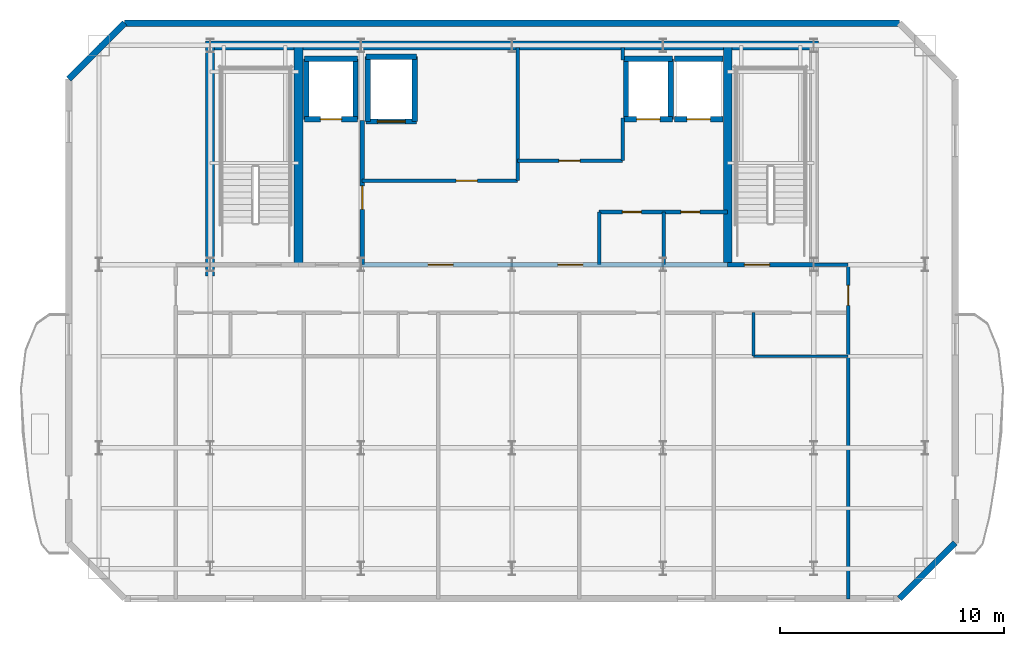
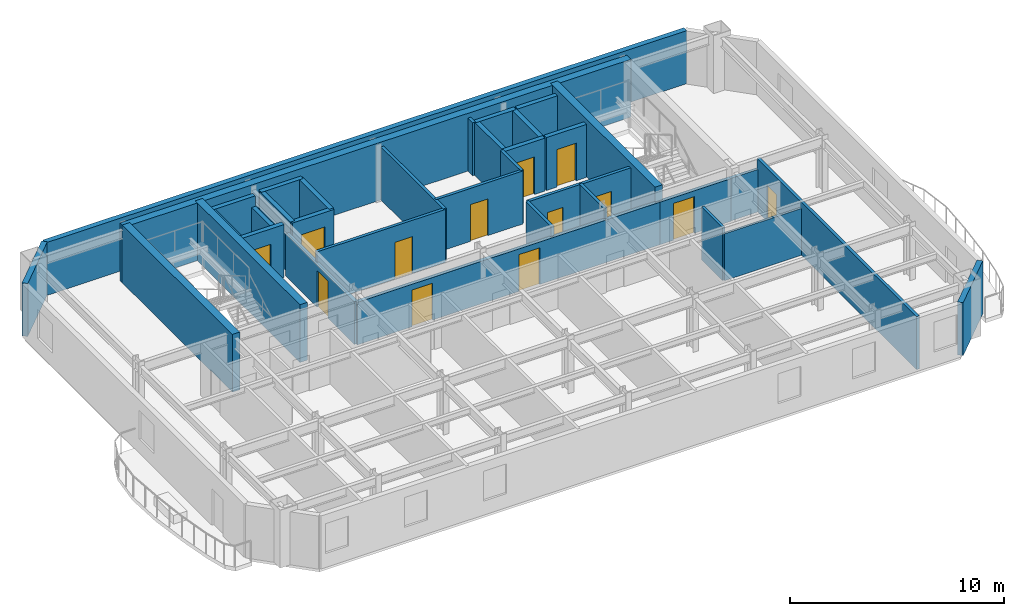
# One storey, part 3 of 6: 36 walls, 13 doors, 13 openings.
"""IFC4 building model written with IfcOpenShell, lengths in metres."""

from ifc_helpers import new_model, si_unit, direction, frame, frame_2d, origin, place, context, subcontext, project, spatial, rectangle, extrude, material, layer, layer_set, type_object, element, fill, save


model = new_model("IFC4")

# Units and contexts
model_context = context("Model", 3, precision=1e-05, world=origin(), true_north=direction((0.0, 1.0)))
body_context = subcontext(model_context, "Body", "Model", "MODEL_VIEW")
ifc_project = project(units=[si_unit("LENGTHUNIT", "METRE"), si_unit("AREAUNIT", "SQUARE_METRE"), si_unit("VOLUMEUNIT", "CUBIC_METRE"), si_unit("PLANEANGLEUNIT", "RADIAN"), si_unit("MASSUNIT", "GRAM", prefix="KILO")], contexts=[model_context])

# Site, building, storey
site_placement = place(None, origin())
site = spatial("IfcSite", under=ifc_project, at=site_placement, CompositionType="ELEMENT")
building_placement = place(site_placement, origin())
building = spatial("IfcBuilding", under=site, at=building_placement, Name="Haevon Station Towers", CompositionType="ELEMENT")
storey_placement = place(building_placement, frame((0.0, 0.0, 246.0)))
storey = spatial("IfcBuildingStorey", under=building, at=storey_placement, Name="L68", CompositionType="ELEMENT", Elevation=246.0)

# Wall, opening, door
ifc_material_1 = material(Name="Gypsum board on steel stud", Category="steel")
ifc_layer_1 = layer(ifc_material_1, 0.199951171875)
ifc_layer_set_1 = layer_set([ifc_layer_1], Name="Gypsum board on steel stud")
wall_type_1 = type_object("IfcWallType", Name="WL-COR200", PredefinedType="PARTITIONING", material=ifc_layer_set_1)
wall_1_placement = place(storey_placement, frame((47.14990234375, 38.199951171875, 0.0), z_axis=(0.0, 0.0, 1.0), x_axis=(1.0, 0.0, 0.0)))
wall_1 = element("IfcWall", 1, at=wall_1_placement, inside=storey, type_object=wall_type_1, Name="WL-ST-ST2-L68", PredefinedType="PARTITIONING", context=body_context, shape_type="SweptSolid", body=[
    extrude(rectangle(XDim=3.85009765625, YDim=0.199951171875, at=frame_2d((1.925048828125, 0.0))), origin(), (0.0, 0.0, 1.0), 2.429931640625),
])
opening_1_placement = place(wall_1_placement, frame((0.75, 0.0, 0.0)))
opening_1 = element("IfcOpeningElement", 2, at=opening_1_placement, cuts=wall_1, Name="Opening DR-ST-ST2-L68", PredefinedType="OPENING", context=body_context, shape_type="SweptSolid", body=[
    extrude(rectangle(XDim=1.1201171875, YDim=2.10009765625, at=frame_2d((0.56005859375, 1.050048828125))), frame((0.0, 0.10986328125, 0.0), z_axis=(0.0, -1.0, 0.0), x_axis=(1.0, 0.0, 0.0)), (0.0, 0.0, 1.0), 0.219970703125),
])
ifc_material_2 = material(Name="Engineered oak timber", Category="wood")
door_type_1 = type_object("IfcDoorType", Name="DR-ST-1120", OperationType="NOTDEFINED", PredefinedType="DOOR", material=ifc_material_2)
door_1_placement = place(opening_1_placement, origin())
door_1 = element("IfcDoor", 3, at=door_1_placement, inside=storey, type_object=door_type_1, Name="L68 Escape Stair ST2 Fire Door", OperationType="SINGLE_SWING_RIGHT", OverallHeight=2.10009765625, OverallWidth=1.1201171875, PredefinedType="DOOR", context=body_context, shape_type="SweptSolid", body=[
    extrude(rectangle(XDim=1.1201171875, YDim=2.10009765625, at=frame_2d((0.56005859375, 1.050048828125))), frame((0.0, 0.02490234375, 0.0), z_axis=(0.0, -1.0, 0.0), x_axis=(1.0, 0.0, 0.0)), (0.0, 0.0, 1.0), 0.050048828125),
])
fill(opening_1, door_1)

wall_2_placement = place(storey_placement, frame((30.800048828125, 38.199951171875, 0.0), z_axis=(0.0, 0.0, 1.0), x_axis=(0.0, 1.0, 0.0)))
wall_2 = element("IfcWall", 4, at=wall_2_placement, inside=storey, type_object=wall_type_1, Name="WL-T1FFL-L68-E", PredefinedType="PARTITIONING", context=body_context, shape_type="SweptSolid", body=[
    extrude(rectangle(XDim=6.449951171875, YDim=0.199951171875, at=frame_2d((3.22509765625, 0.0))), origin(), (0.0, 0.0, 1.0), 2.429931640625),
])
opening_2_placement = place(wall_2_placement, frame((2.469970703125, 0.0, 0.0)))
opening_2 = element("IfcOpeningElement", 5, at=opening_2_placement, cuts=wall_2, Name="Opening DR-T1FFL-L68-E", PredefinedType="OPENING", context=body_context, shape_type="SweptSolid", body=[
    extrude(rectangle(XDim=1.050048828125, YDim=2.10009765625, at=frame_2d((0.52490234375, 1.050048828125))), frame((0.0, 0.10986328125, 0.0), z_axis=(0.0, -1.0, 0.0), x_axis=(1.0, 0.0, 0.0)), (0.0, 0.0, 1.0), 0.219970703125),
])
door_type_2 = type_object("IfcDoorType", Name="DR-FD60-1050", OperationType="NOTDEFINED", PredefinedType="DOOR", material=ifc_material_2)
door_2_placement = place(opening_2_placement, origin())
door_2 = element("IfcDoor", 6, at=door_2_placement, inside=storey, type_object=door_type_2, Name="L68 Tower 1 Firefighting Lift Lobby Door E", OperationType="SINGLE_SWING_LEFT", OverallHeight=2.10009765625, OverallWidth=1.050048828125, PredefinedType="DOOR", context=body_context, shape_type="SweptSolid", body=[
    extrude(rectangle(XDim=1.050048828125, YDim=2.10009765625, at=frame_2d((0.52490234375, 1.050048828125))), frame((0.0, 0.02490234375, 0.0), z_axis=(0.0, -1.0, 0.0), x_axis=(1.0, 0.0, 0.0)), (0.0, 0.0, 1.0), 0.050048828125),
])
fill(opening_2, door_2)

# Wall, openings, doors
wall_3_placement = place(storey_placement, frame((30.800048828125, 38.199951171875, 0.0), z_axis=(0.0, 0.0, 1.0), x_axis=(1.0, 0.0, 0.0)))
wall_3 = element("IfcWall", 7, at=wall_3_placement, inside=storey, type_object=wall_type_1, Name="WL-T1CLB-L68", PredefinedType="PARTITIONING", context=body_context, shape_type="SweptSolid", body=[
    extrude(rectangle(XDim=16.349853515625, YDim=0.199951171875, at=frame_2d((8.1748046875, 0.0))), origin(), (0.0, 0.0, 1.0), 2.429931640625),
])
opening_3_placement = place(wall_3_placement, frame((2.949951171875, 0.0, 0.0)))
opening_3 = element("IfcOpeningElement", 8, at=opening_3_placement, cuts=wall_3, Name="Opening DR-T1CLB-L68-1", PredefinedType="OPENING", context=body_context, shape_type="SweptSolid", body=[
    extrude(rectangle(XDim=1.1201171875, YDim=2.10009765625, at=frame_2d((0.56005859375, 1.050048828125))), frame((0.0, 0.10986328125, 0.0), z_axis=(0.0, -1.0, 0.0), x_axis=(1.0, 0.0, 0.0)), (0.0, 0.0, 1.0), 0.219970703125),
])
opening_4_placement = place(wall_3_placement, frame((8.75, 0.0, 0.0)))
opening_4 = element("IfcOpeningElement", 9, at=opening_4_placement, cuts=wall_3, Name="Opening DR-T1CLB-L68-2", PredefinedType="OPENING", context=body_context, shape_type="SweptSolid", body=[
    extrude(rectangle(XDim=1.1201171875, YDim=2.10009765625, at=frame_2d((0.56005859375, 1.050048828125))), frame((0.0, 0.10986328125, 0.0), z_axis=(0.0, -1.0, 0.0), x_axis=(1.0, 0.0, 0.0)), (0.0, 0.0, 1.0), 0.219970703125),
])
door_3_placement = place(opening_3_placement, origin())
door_3 = element("IfcDoor", 10, at=door_3_placement, inside=storey, type_object=door_type_1, Name="L68 Tower 1 Core Lift Lobby Door 1", OperationType="SINGLE_SWING_LEFT", OverallHeight=2.10009765625, OverallWidth=1.1201171875, PredefinedType="DOOR", context=body_context, shape_type="SweptSolid", body=[
    extrude(rectangle(XDim=1.1201171875, YDim=2.10009765625, at=frame_2d((0.56005859375, 1.050048828125))), frame((0.0, 0.02490234375, 0.0), z_axis=(0.0, -1.0, 0.0), x_axis=(1.0, 0.0, 0.0)), (0.0, 0.0, 1.0), 0.050048828125),
])
fill(opening_3, door_3)
door_4_placement = place(opening_4_placement, origin())
door_4 = element("IfcDoor", 11, at=door_4_placement, inside=storey, type_object=door_type_1, Name="L68 Tower 1 Core Lift Lobby Door 2", OperationType="SINGLE_SWING_RIGHT", OverallHeight=2.10009765625, OverallWidth=1.1201171875, PredefinedType="DOOR", context=body_context, shape_type="SweptSolid", body=[
    extrude(rectangle(XDim=1.1201171875, YDim=2.10009765625, at=frame_2d((0.56005859375, 1.050048828125))), frame((0.0, 0.02490234375, 0.0), z_axis=(0.0, -1.0, 0.0), x_axis=(1.0, 0.0, 0.0)), (0.0, 0.0, 1.0), 0.050048828125),
])
fill(opening_4, door_4)

# Walls
ifc_material_3 = material(Name="Concrete C60/75", Category="concrete")
ifc_layer_2 = layer(ifc_material_3, 0.39990234375)
ifc_layer_set_2 = layer_set([ifc_layer_2], Name="Concrete C60/75")
wall_type_2 = type_object("IfcWallType", Name="WL-CR400", PredefinedType="SHEAR", material=ifc_layer_set_2)
wall_4_placement = place(storey_placement, frame((23.800048828125, 48.0, 0.0), z_axis=(0.0, 0.0, 1.0), x_axis=(1.0, 0.0, 0.0)))
element("IfcWall", 12, at=wall_4_placement, inside=storey, type_object=wall_type_2, Name="WL-T1CR-L68-N", PredefinedType="SHEAR", context=body_context, shape_type="SweptSolid", body=[
    extrude(rectangle(XDim=27.39990234375, YDim=0.39990234375, at=frame_2d((13.699951171875, 0.0))), origin(), (0.0, 0.0, 1.0), 3.300048828125),
])
wall_5_placement = place(storey_placement, frame((24.0, 37.679931640625, 0.0), z_axis=(0.0, 0.0, 1.0), x_axis=(0.0, 1.0, 0.0)))
element("IfcWall", 13, at=wall_5_placement, inside=storey, type_object=wall_type_2, Name="WL-T1CR-L68-W", PredefinedType="SHEAR", context=body_context, shape_type="SweptSolid", body=[
    extrude(rectangle(XDim=10.320068359375, YDim=0.39990234375, at=frame_2d((5.16015625, 0.0))), origin(), (0.0, 0.0, 1.0), 3.300048828125),
])
for number, where, z_axis, x_axis, name in (
    (14, (27.949951171875, 38.199951171875, 0.0), (0.0, 0.0, 1.0), (0.0, 1.0, 0.0), "WL-T1CR-L68-M1"),
    (15, (47.14990234375, 38.199951171875, 0.0), (0.0, 0.0, 1.0), (0.0, 1.0, 0.0), "WL-T1CR-L68-M2"),
):
    element("IfcWall", number, at=place(storey_placement, frame(where, z_axis=z_axis, x_axis=x_axis)), inside=storey, type_object=wall_type_2, Name=name, PredefinedType="SHEAR", context=body_context, shape_type="SweptSolid", body=[
        extrude(rectangle(XDim=9.800048828125, YDim=0.39990234375, at=frame_2d((4.89990234375, 0.0))), origin(), (0.0, 0.0, 1.0), 3.300048828125),
    ])
ifc_material_4 = material(Name="Precast concrete C45/55", Category="concrete")
ifc_layer_3 = layer(ifc_material_4, 0.280029296875)
ifc_layer_set_3 = layer_set([ifc_layer_3], Name="Precast concrete C45/55")
wall_type_3 = type_object("IfcWallType", Name="WL-EXT-PIER280", PredefinedType="SOLIDWALL", material=ifc_layer_set_3)
wall_6_placement = place(storey_placement, frame((17.675048828125, 46.5, 0.0), z_axis=(0.0, 0.0, 1.0), x_axis=(0.707106781187, 0.707106781187, 0.0)))
element("IfcWall", 16, at=wall_6_placement, inside=storey, type_object=wall_type_3, Name="WL-T1-L68-NWC", PredefinedType="SOLIDWALL", context=body_context, shape_type="SweptSolid", body=[
    extrude(rectangle(XDim=3.53564453125, YDim=0.280029296875, at=frame_2d((1.767822265625, 0.0))), origin(), (0.0, 0.0, 1.0), 3.030029296875),
])
wall_7_placement = place(storey_placement, frame((20.175048828125, 49.0, 0.0), z_axis=(0.0, 0.0, 1.0), x_axis=(1.0, 0.0, 0.0)))
element("IfcWall", 17, at=wall_7_placement, inside=storey, type_object=wall_type_3, Name="WL-T1-L68-N", PredefinedType="SOLIDWALL", context=body_context, shape_type="SweptSolid", body=[
    extrude(rectangle(XDim=34.64990234375, YDim=0.280029296875, at=frame_2d((17.324951171875, 0.0))), origin(), (0.0, 0.0, 1.0), 3.030029296875),
])
wall_8_placement = place(storey_placement, frame((57.324951171875, 25.75, 0.0), z_axis=(0.0, 0.0, 1.0), x_axis=(-0.707106781187, -0.707106781187, 0.0)))
element("IfcWall", 18, at=wall_8_placement, inside=storey, type_object=wall_type_3, Name="WL-T1-L68-SEC", PredefinedType="SOLIDWALL", context=body_context, shape_type="SweptSolid", body=[
    extrude(rectangle(XDim=3.53564453125, YDim=0.280029296875, at=frame_2d((1.767822265625, 0.0))), origin(), (0.0, 0.0, 1.0), 3.030029296875),
])
ifc_layer_4 = layer(ifc_material_1, 0.125)
ifc_layer_set_4 = layer_set([ifc_layer_4], Name="Gypsum board on steel stud")
wall_type_4 = type_object("IfcWallType", Name="WL-PRT125", PredefinedType="PARTITIONING", material=ifc_layer_set_4)
wall_9_placement = place(storey_placement, frame((48.302734375, 34.10009765625, 0.0), z_axis=(0.0, 0.0, 1.0), x_axis=(1.0, 0.0, 0.0)))
element("IfcWall", 19, at=wall_9_placement, inside=storey, type_object=wall_type_4, Name="WL-T1PT-L68-13", PredefinedType="PARTITIONING", context=body_context, shape_type="SweptSolid", body=[
    extrude(rectangle(XDim=4.2353515625, YDim=0.125, at=frame_2d((2.11767578125, 0.0))), origin(), (0.0, 0.0, 1.0), 2.679931640625),
])
ifc_layer_5 = layer(ifc_material_1, 0.139892578125)
ifc_layer_set_5 = layer_set([ifc_layer_5], Name="Gypsum board on steel stud")
wall_type_5 = type_object("IfcWallType", Name="WL-PRT140", PredefinedType="PARTITIONING", material=ifc_layer_set_5)
wall_10_placement = place(storey_placement, frame((48.302734375, 34.10009765625, 0.0), z_axis=(0.0, 0.0, 1.0), x_axis=(0.0, 1.0, 0.0)))
element("IfcWall", 20, at=wall_10_placement, inside=storey, type_object=wall_type_5, Name="WL-T1PT-L68-14", PredefinedType="PARTITIONING", context=body_context, shape_type="SweptSolid", body=[
    extrude(rectangle(XDim=1.949951171875, YDim=0.139892578125, at=frame_2d((0.97509765625, 0.0))), origin(), (0.0, 0.0, 1.0), 3.030029296875),
])

# Wall, opening, door
ifc_layer_6 = layer(ifc_material_1, 0.159912109375)
ifc_layer_set_6 = layer_set([ifc_layer_6], Name="Gypsum board on steel stud")
wall_type_6 = type_object("IfcWallType", Name="WL-PRT160", PredefinedType="PARTITIONING", material=ifc_layer_set_6)
wall_11_placement = place(storey_placement, frame((30.800048828125, 41.949951171875, 0.0), z_axis=(0.0, 0.0, 1.0), x_axis=(1.0, 0.0, 0.0)))
wall_11 = element("IfcWall", 21, at=wall_11_placement, inside=storey, type_object=wall_type_6, Name="WL-T1CW-L68-01", PredefinedType="PARTITIONING", context=body_context, shape_type="SweptSolid", body=[
    extrude(rectangle(XDim=6.949951171875, YDim=0.159912109375, at=frame_2d((3.47509765625, 0.0))), origin(), (0.0, 0.0, 1.0), 3.030029296875),
])
opening_5_placement = place(wall_11_placement, frame((4.199951171875, 0.0, 0.0)))
opening_5 = element("IfcOpeningElement", 22, at=opening_5_placement, cuts=wall_11, Name="Opening DR-WL-T1CW-L68-01-1", PredefinedType="OPENING", context=body_context, shape_type="SweptSolid", body=[
    extrude(rectangle(XDim=0.949951171875, YDim=2.10009765625, at=frame_2d((0.47509765625, 1.050048828125))), frame((0.0, 0.08984375, 0.0), z_axis=(0.0, -1.0, 0.0), x_axis=(1.0, 0.0, 0.0)), (0.0, 0.0, 1.0), 0.179931640625),
])
door_type_3 = type_object("IfcDoorType", Name="DR-FD60-950", OperationType="NOTDEFINED", PredefinedType="DOOR", material=ifc_material_2)
door_5_placement = place(opening_5_placement, origin())
door_5 = element("IfcDoor", 23, at=door_5_placement, inside=storey, type_object=door_type_3, Name="L68 Tower 1 Core Room Door 1-1", OperationType="SINGLE_SWING_RIGHT", OverallHeight=2.10009765625, OverallWidth=0.949951171875, PredefinedType="DOOR", context=body_context, shape_type="SweptSolid", body=[
    extrude(rectangle(XDim=0.949951171875, YDim=2.10009765625, at=frame_2d((0.47509765625, 1.050048828125))), frame((0.0, 0.02490234375, 0.0), z_axis=(0.0, -1.0, 0.0), x_axis=(1.0, 0.0, 0.0)), (0.0, 0.0, 1.0), 0.050048828125),
])
fill(opening_5, door_5)

# Wall
wall_12_placement = place(storey_placement, frame((37.75, 41.949951171875, 0.0), z_axis=(0.0, 0.0, 1.0), x_axis=(0.0, 1.0, 0.0)))
element("IfcWall", 24, at=wall_12_placement, inside=storey, type_object=wall_type_6, Name="WL-T1CW-L68-02", PredefinedType="PARTITIONING", context=body_context, shape_type="SweptSolid", body=[
    extrude(rectangle(XDim=5.949951171875, YDim=0.159912109375, at=frame_2d((2.97509765625, 0.0))), origin(), (0.0, 0.0, 1.0), 3.030029296875),
])

# Wall, opening, door
wall_13_placement = place(storey_placement, frame((37.75, 42.85009765625, 0.0), z_axis=(0.0, 0.0, 1.0), x_axis=(1.0, 0.0, 0.0)))
wall_13 = element("IfcWall", 25, at=wall_13_placement, inside=storey, type_object=wall_type_6, Name="WL-T1CW-L68-03", PredefinedType="PARTITIONING", context=body_context, shape_type="SweptSolid", body=[
    extrude(rectangle(XDim=4.699951171875, YDim=0.159912109375, at=frame_2d((2.35009765625, 0.0))), origin(), (0.0, 0.0, 1.0), 3.030029296875),
])
opening_6_placement = place(wall_13_placement, frame((1.85009765625, 0.0, 0.0)))
opening_6 = element("IfcOpeningElement", 26, at=opening_6_placement, cuts=wall_13, Name="Opening DR-WL-T1CW-L68-03-1", PredefinedType="OPENING", context=body_context, shape_type="SweptSolid", body=[
    extrude(rectangle(XDim=0.949951171875, YDim=2.10009765625, at=frame_2d((0.47509765625, 1.050048828125))), frame((0.0, 0.08984375, 0.0), z_axis=(0.0, -1.0, 0.0), x_axis=(1.0, 0.0, 0.0)), (0.0, 0.0, 1.0), 0.179931640625),
])
door_6_placement = place(opening_6_placement, origin())
door_6 = element("IfcDoor", 27, at=door_6_placement, inside=storey, type_object=door_type_3, Name="L68 Tower 1 Core Room Door 3-1", OperationType="SINGLE_SWING_LEFT", OverallHeight=2.10009765625, OverallWidth=0.949951171875, PredefinedType="DOOR", context=body_context, shape_type="SweptSolid", body=[
    extrude(rectangle(XDim=0.949951171875, YDim=2.10009765625, at=frame_2d((0.47509765625, 1.050048828125))), frame((0.0, 0.02490234375, 0.0), z_axis=(0.0, -1.0, 0.0), x_axis=(1.0, 0.0, 0.0)), (0.0, 0.0, 1.0), 0.050048828125),
])
fill(opening_6, door_6)

# Walls
wall_14_placement = place(storey_placement, frame((42.449951171875, 42.85009765625, 0.0), z_axis=(0.0, 0.0, 1.0), x_axis=(0.0, 1.0, 0.0)))
element("IfcWall", 28, at=wall_14_placement, inside=storey, type_object=wall_type_6, Name="WL-T1CW-L68-04", PredefinedType="PARTITIONING", context=body_context, shape_type="SweptSolid", body=[
    extrude(rectangle(XDim=1.89990234375, YDim=0.159912109375, at=frame_2d((0.949951171875, 0.0))), origin(), (0.0, 0.0, 1.0), 3.030029296875),
])
wall_15_placement = place(storey_placement, frame((42.449951171875, 47.35009765625, 0.0), z_axis=(0.0, 0.0, 1.0), x_axis=(0.0, 1.0, 0.0)))
element("IfcWall", 29, at=wall_15_placement, inside=storey, type_object=wall_type_6, Name="WL-T1CW-L68-05", PredefinedType="PARTITIONING", context=body_context, shape_type="SweptSolid", body=[
    extrude(rectangle(XDim=0.5498046875, YDim=0.159912109375, at=frame_2d((0.27490234375, 0.0))), origin(), (0.0, 0.0, 1.0), 3.030029296875),
])
for number, where, z_axis, x_axis, name in (
    (30, (41.39990234375, 38.199951171875, 0.0), (0.0, 0.0, 1.0), (0.0, 1.0, 0.0), "WL-T1CW-L68-06"),
    (31, (44.280029296875, 38.199951171875, 0.0), (0.0, 0.0, 1.0), (0.0, 1.0, 0.0), "WL-T1CW-L68-07"),
):
    element("IfcWall", number, at=place(storey_placement, frame(where, z_axis=z_axis, x_axis=x_axis)), inside=storey, type_object=wall_type_6, Name=name, PredefinedType="PARTITIONING", context=body_context, shape_type="SweptSolid", body=[
        extrude(rectangle(XDim=2.35009765625, YDim=0.159912109375, at=frame_2d((1.175048828125, 0.0))), origin(), (0.0, 0.0, 1.0), 3.030029296875),
    ])

# Wall, openings, doors
wall_16_placement = place(storey_placement, frame((41.39990234375, 40.550048828125, 0.0), z_axis=(0.0, 0.0, 1.0), x_axis=(1.0, 0.0, 0.0)))
wall_16 = element("IfcWall", 32, at=wall_16_placement, inside=storey, type_object=wall_type_6, Name="WL-T1CW-L68-08", PredefinedType="PARTITIONING", context=body_context, shape_type="SweptSolid", body=[
    extrude(rectangle(XDim=5.75, YDim=0.159912109375, at=frame_2d((2.875, 0.0))), origin(), (0.0, 0.0, 1.0), 3.030029296875),
])
opening_7_placement = place(wall_16_placement, frame((1.034912109375, 0.0, 0.0)))
opening_7 = element("IfcOpeningElement", 33, at=opening_7_placement, cuts=wall_16, Name="Opening DR-WL-T1CW-L68-08-1", PredefinedType="OPENING", context=body_context, shape_type="SweptSolid", body=[
    extrude(rectangle(XDim=0.85009765625, YDim=2.050048828125, at=frame_2d((0.425048828125, 1.02490234375))), frame((0.0, 0.08984375, 0.0), z_axis=(0.0, -1.0, 0.0), x_axis=(1.0, 0.0, 0.0)), (0.0, 0.0, 1.0), 0.179931640625),
])
opening_8_placement = place(wall_16_placement, frame((3.655029296875, 0.0, 0.0)))
opening_8 = element("IfcOpeningElement", 34, at=opening_8_placement, cuts=wall_16, Name="Opening DR-WL-T1CW-L68-08-2", PredefinedType="OPENING", context=body_context, shape_type="SweptSolid", body=[
    extrude(rectangle(XDim=0.85009765625, YDim=2.050048828125, at=frame_2d((0.425048828125, 1.02490234375))), frame((0.0, 0.08984375, 0.0), z_axis=(0.0, -1.0, 0.0), x_axis=(1.0, 0.0, 0.0)), (0.0, 0.0, 1.0), 0.179931640625),
])
door_type_4 = type_object("IfcDoorType", Name="DR-FD30-850", OperationType="NOTDEFINED", PredefinedType="DOOR", material=ifc_material_2)
door_7_placement = place(opening_7_placement, origin())
door_7 = element("IfcDoor", 35, at=door_7_placement, inside=storey, type_object=door_type_4, Name="L68 Tower 1 Core Room Door 8-1", OperationType="SINGLE_SWING_RIGHT", OverallHeight=2.050048828125, OverallWidth=0.85009765625, PredefinedType="DOOR", context=body_context, shape_type="SweptSolid", body=[
    extrude(rectangle(XDim=0.85009765625, YDim=2.050048828125, at=frame_2d((0.425048828125, 1.02490234375))), frame((0.0, 0.02490234375, 0.0), z_axis=(0.0, -1.0, 0.0), x_axis=(1.0, 0.0, 0.0)), (0.0, 0.0, 1.0), 0.050048828125),
])
fill(opening_7, door_7)
door_8_placement = place(opening_8_placement, origin())
door_8 = element("IfcDoor", 36, at=door_8_placement, inside=storey, type_object=door_type_4, Name="L68 Tower 1 Core Room Door 8-2", OperationType="SINGLE_SWING_LEFT", OverallHeight=2.050048828125, OverallWidth=0.85009765625, PredefinedType="DOOR", context=body_context, shape_type="SweptSolid", body=[
    extrude(rectangle(XDim=0.85009765625, YDim=2.050048828125, at=frame_2d((0.425048828125, 1.02490234375))), frame((0.0, 0.02490234375, 0.0), z_axis=(0.0, -1.0, 0.0), x_axis=(1.0, 0.0, 0.0)), (0.0, 0.0, 1.0), 0.050048828125),
])
fill(opening_8, door_8)

# Wall
wall_17_placement = place(storey_placement, frame((51.0, 38.199951171875, 0.0), z_axis=(0.0, 0.0, 1.0), x_axis=(1.0, 0.0, 0.0)))
element("IfcWall", 37, at=wall_17_placement, inside=storey, type_object=wall_type_6, Name="WL-T1PT-L68-02", PredefinedType="PARTITIONING", context=body_context, shape_type="SweptSolid", body=[
    extrude(rectangle(XDim=1.5380859375, YDim=0.159912109375, at=frame_2d((0.76904296875, 0.0))), origin(), (0.0, 0.0, 1.0), 2.429931640625),
])

# Wall, opening, door
wall_18_placement = place(storey_placement, frame((52.5380859375, 23.25, 0.0), z_axis=(0.0, 0.0, 1.0), x_axis=(0.0, 1.0, 0.0)))
wall_18 = element("IfcWall", 38, at=wall_18_placement, inside=storey, type_object=wall_type_6, Name="WL-T1PT-L68-04", PredefinedType="PARTITIONING", context=body_context, shape_type="SweptSolid", body=[
    extrude(rectangle(XDim=14.949951171875, YDim=0.159912109375, at=frame_2d((7.47509765625, 0.0))), origin(), (0.0, 0.0, 1.0), 3.030029296875),
])
opening_9_placement = place(wall_18_placement, frame((13.1201171875, 0.0, 0.0)))
opening_9 = element("IfcOpeningElement", 39, at=opening_9_placement, cuts=wall_18, Name="Opening DR-WL-T1PT-L68-04-01", PredefinedType="OPENING", context=body_context, shape_type="SweptSolid", body=[
    extrude(rectangle(XDim=0.89990234375, YDim=2.050048828125, at=frame_2d((0.449951171875, 1.02490234375))), frame((0.0, 0.08984375, 0.0), z_axis=(0.0, -1.0, 0.0), x_axis=(1.0, 0.0, 0.0)), (0.0, 0.0, 1.0), 0.179931640625),
])
door_type_5 = type_object("IfcDoorType", Name="DR-INT-900", OperationType="NOTDEFINED", PredefinedType="DOOR", material=ifc_material_2)
door_9_placement = place(opening_9_placement, origin())
door_9 = element("IfcDoor", 40, at=door_9_placement, inside=storey, type_object=door_type_5, Name="L68 Tower 1 Room Door 4-1", OperationType="SINGLE_SWING_LEFT", OverallHeight=2.050048828125, OverallWidth=0.89990234375, PredefinedType="DOOR", context=body_context, shape_type="SweptSolid", body=[
    extrude(rectangle(XDim=0.89990234375, YDim=2.050048828125, at=frame_2d((0.449951171875, 1.02490234375))), frame((0.0, 0.02490234375, 0.0), z_axis=(0.0, -1.0, 0.0), x_axis=(1.0, 0.0, 0.0)), (0.0, 0.0, 1.0), 0.050048828125),
])
fill(opening_9, door_9)

ifc_material_5 = material(Name="Concrete C40/50", Category="concrete")
ifc_layer_7 = layer(ifc_material_5, 0.239990234375)
ifc_layer_set_7 = layer_set([ifc_layer_7], Name="Concrete C40/50")
wall_type_7 = type_object("IfcWallType", Name="WL-SHF240", PredefinedType="PARTITIONING", material=ifc_layer_set_7)
wall_19_placement = place(storey_placement, frame((28.219970703125, 44.699951171875, 0.0), z_axis=(0.0, 0.0, 1.0), x_axis=(1.0, 0.0, 0.0)))
wall_19 = element("IfcWall", 41, at=wall_19_placement, inside=storey, type_object=wall_type_7, Name="WL-SHF-FL1-L68", PredefinedType="PARTITIONING", context=body_context, shape_type="SweptSolid", body=[
    extrude(rectangle(XDim=2.360107421875, YDim=0.239990234375, at=frame_2d((1.18017578125, 0.0))), origin(), (0.0, 0.0, 1.0), 3.030029296875),
])
opening_10_placement = place(wall_19_placement, frame((0.705078125, 0.0, 0.0)))
opening_10 = element("IfcOpeningElement", 42, at=opening_10_placement, cuts=wall_19, Name="Opening LD-FL1-L68", PredefinedType="OPENING", context=body_context, shape_type="SweptSolid", body=[
    extrude(rectangle(XDim=0.949951171875, YDim=2.14990234375, at=frame_2d((0.47509765625, 1.074951171875))), frame((0.0, 0.1298828125, 0.0), z_axis=(0.0, -1.0, 0.0), x_axis=(1.0, 0.0, 0.0)), (0.0, 0.0, 1.0), 0.260009765625),
])
ifc_material_6 = material(Name="Stainless steel and rated core", Category="steel")
door_type_6 = type_object("IfcDoorType", Name="LD-FL950", OperationType="SLIDING_TO_LEFT", PredefinedType="DOOR", material=ifc_material_6)
door_10_placement = place(opening_10_placement, origin())
door_10 = element("IfcDoor", 43, at=door_10_placement, inside=storey, type_object=door_type_6, Name="L68 Lift FL1 Sliding Landing Door", OperationType="SLIDING_TO_LEFT", OverallHeight=2.14990234375, OverallWidth=0.949951171875, PredefinedType="DOOR", context=body_context, shape_type="SweptSolid", body=[
    extrude(rectangle(XDim=0.949951171875, YDim=2.14990234375, at=frame_2d((0.47509765625, 1.074951171875))), frame((0.0, 0.02490234375, 0.0), z_axis=(0.0, -1.0, 0.0), x_axis=(1.0, 0.0, 0.0)), (0.0, 0.0, 1.0), 0.050048828125),
])
fill(opening_10, door_10)

# Walls
wall_20_placement = place(storey_placement, frame((28.219970703125, 47.39990234375, 0.0), z_axis=(0.0, 0.0, 1.0), x_axis=(1.0, 0.0, 0.0)))
element("IfcWall", 44, at=wall_20_placement, inside=storey, type_object=wall_type_7, Name="WL-SHF-FL1-L68-N", PredefinedType="PARTITIONING", context=body_context, shape_type="SweptSolid", body=[
    extrude(rectangle(XDim=2.360107421875, YDim=0.239990234375, at=frame_2d((1.18017578125, 0.0))), origin(), (0.0, 0.0, 1.0), 3.030029296875),
])
wall_21_placement = place(storey_placement, frame((28.300048828125, 44.699951171875, 0.0), z_axis=(0.0, 0.0, 1.0), x_axis=(0.0, 1.0, 0.0)))
element("IfcWall", 45, at=wall_21_placement, inside=storey, type_object=wall_type_7, Name="WL-SHF-FL1-L68-W", PredefinedType="PARTITIONING", context=body_context, shape_type="SweptSolid", body=[
    extrude(rectangle(XDim=2.699951171875, YDim=0.239990234375, at=frame_2d((1.35009765625, 0.0))), origin(), (0.0, 0.0, 1.0), 3.030029296875),
])
wall_22_placement = place(storey_placement, frame((30.5, 44.699951171875, 0.0), z_axis=(0.0, 0.0, 1.0), x_axis=(0.0, 1.0, 0.0)))
element("IfcWall", 46, at=wall_22_placement, inside=storey, type_object=wall_type_7, Name="WL-SHF-FL1-L68-E", PredefinedType="PARTITIONING", context=body_context, shape_type="SweptSolid", body=[
    extrude(rectangle(XDim=2.699951171875, YDim=0.239990234375, at=frame_2d((1.35009765625, 0.0))), origin(), (0.0, 0.0, 1.0), 2.429931640625),
])

# Wall, opening, door
wall_23_placement = place(storey_placement, frame((30.969970703125, 44.60009765625, 0.0), z_axis=(0.0, 0.0, 1.0), x_axis=(1.0, 0.0, 0.0)))
wall_23 = element("IfcWall", 47, at=wall_23_placement, inside=storey, type_object=wall_type_7, Name="WL-SHF-SL1-L68", PredefinedType="PARTITIONING", context=body_context, shape_type="SweptSolid", body=[
    extrude(rectangle(XDim=2.260009765625, YDim=0.239990234375, at=frame_2d((1.1298828125, 0.0))), origin(), (0.0, 0.0, 1.0), 3.030029296875),
])
opening_11_placement = place(wall_23_placement, frame((0.5048828125, 0.0, 0.0)))
opening_11 = element("IfcOpeningElement", 48, at=opening_11_placement, cuts=wall_23, Name="Opening LD-SL1-L68", PredefinedType="OPENING", context=body_context, shape_type="SweptSolid", body=[
    extrude(rectangle(XDim=1.25, YDim=2.199951171875, at=frame_2d((0.625, 1.10009765625))), frame((0.0, 0.1298828125, 0.0), z_axis=(0.0, -1.0, 0.0), x_axis=(1.0, 0.0, 0.0)), (0.0, 0.0, 1.0), 0.260009765625),
])
door_type_7 = type_object("IfcDoorType", Name="LD-SL1250", OperationType="SLIDING_TO_LEFT", PredefinedType="DOOR", material=ifc_material_6)
door_11_placement = place(opening_11_placement, origin())
door_11 = element("IfcDoor", 49, at=door_11_placement, inside=storey, type_object=door_type_7, Name="L68 Lift SL1 Sliding Landing Door", OperationType="SLIDING_TO_LEFT", OverallHeight=2.199951171875, OverallWidth=1.25, PredefinedType="DOOR", context=body_context, shape_type="SweptSolid", body=[
    extrude(rectangle(XDim=1.25, YDim=2.199951171875, at=frame_2d((0.625, 1.10009765625))), frame((0.0, 0.02490234375, 0.0), z_axis=(0.0, -1.0, 0.0), x_axis=(1.0, 0.0, 0.0)), (0.0, 0.0, 1.0), 0.050048828125),
])
fill(opening_11, door_11)

# Walls
wall_24_placement = place(storey_placement, frame((30.969970703125, 47.5, 0.0), z_axis=(0.0, 0.0, 1.0), x_axis=(1.0, 0.0, 0.0)))
element("IfcWall", 50, at=wall_24_placement, inside=storey, type_object=wall_type_7, Name="WL-SHF-SL1-L68-N", PredefinedType="PARTITIONING", context=body_context, shape_type="SweptSolid", body=[
    extrude(rectangle(XDim=2.260009765625, YDim=0.239990234375, at=frame_2d((1.1298828125, 0.0))), origin(), (0.0, 0.0, 1.0), 3.030029296875),
])
for number, where, z_axis, x_axis, name in (
    (51, (31.050048828125, 44.60009765625, 0.0), (0.0, 0.0, 1.0), (0.0, 1.0, 0.0), "WL-SHF-SL1-L68-W"),
    (52, (33.14990234375, 44.60009765625, 0.0), (0.0, 0.0, 1.0), (0.0, 1.0, 0.0), "WL-SHF-SL1-L68-E"),
):
    element("IfcWall", number, at=place(storey_placement, frame(where, z_axis=z_axis, x_axis=x_axis)), inside=storey, type_object=wall_type_7, Name=name, PredefinedType="PARTITIONING", context=body_context, shape_type="SweptSolid", body=[
        extrude(rectangle(XDim=2.89990234375, YDim=0.239990234375, at=frame_2d((1.449951171875, 0.0))), origin(), (0.0, 0.0, 1.0), 3.030029296875),
    ])

# Wall, opening, door
wall_25_placement = place(storey_placement, frame((42.52001953125, 44.699951171875, 0.0), z_axis=(0.0, 0.0, 1.0), x_axis=(1.0, 0.0, 0.0)))
wall_25 = element("IfcWall", 53, at=wall_25_placement, inside=storey, type_object=wall_type_7, Name="WL-SHF-PL5-L68", PredefinedType="PARTITIONING", context=body_context, shape_type="SweptSolid", body=[
    extrude(rectangle(XDim=2.159912109375, YDim=0.239990234375, at=frame_2d((1.080078125, 0.0))), origin(), (0.0, 0.0, 1.0), 3.030029296875),
])
opening_12_placement = place(wall_25_placement, frame((0.554931640625, 0.0, 0.0)))
opening_12 = element("IfcOpeningElement", 54, at=opening_12_placement, cuts=wall_25, Name="Opening LD-PL5-L68", PredefinedType="OPENING", context=body_context, shape_type="SweptSolid", body=[
    extrude(rectangle(XDim=1.050048828125, YDim=2.14990234375, at=frame_2d((0.52490234375, 1.074951171875))), frame((0.0, 0.1298828125, 0.0), z_axis=(0.0, -1.0, 0.0), x_axis=(1.0, 0.0, 0.0)), (0.0, 0.0, 1.0), 0.260009765625),
])
door_type_8 = type_object("IfcDoorType", Name="LD-PL1050", OperationType="SLIDING_TO_LEFT", PredefinedType="DOOR", material=ifc_material_6)
door_12_placement = place(opening_12_placement, origin())
door_12 = element("IfcDoor", 55, at=door_12_placement, inside=storey, type_object=door_type_8, Name="L68 Lift PL5 Sliding Landing Door", OperationType="SLIDING_TO_LEFT", OverallHeight=2.14990234375, OverallWidth=1.050048828125, PredefinedType="DOOR", context=body_context, shape_type="SweptSolid", body=[
    extrude(rectangle(XDim=1.050048828125, YDim=2.14990234375, at=frame_2d((0.52490234375, 1.074951171875))), frame((0.0, 0.02490234375, 0.0), z_axis=(0.0, -1.0, 0.0), x_axis=(1.0, 0.0, 0.0)), (0.0, 0.0, 1.0), 0.050048828125),
])
fill(opening_12, door_12)

# Walls
wall_26_placement = place(storey_placement, frame((42.52001953125, 47.39990234375, 0.0), z_axis=(0.0, 0.0, 1.0), x_axis=(1.0, 0.0, 0.0)))
element("IfcWall", 56, at=wall_26_placement, inside=storey, type_object=wall_type_7, Name="WL-SHF-PL5-L68-N", PredefinedType="PARTITIONING", context=body_context, shape_type="SweptSolid", body=[
    extrude(rectangle(XDim=2.159912109375, YDim=0.239990234375, at=frame_2d((1.080078125, 0.0))), origin(), (0.0, 0.0, 1.0), 3.030029296875),
])
for number, where, z_axis, x_axis, name in (
    (57, (42.60009765625, 44.699951171875, 0.0), (0.0, 0.0, 1.0), (0.0, 1.0, 0.0), "WL-SHF-PL5-L68-W"),
    (58, (44.60009765625, 44.699951171875, 0.0), (0.0, 0.0, 1.0), (0.0, 1.0, 0.0), "WL-SHF-PL5-L68-E"),
):
    element("IfcWall", number, at=place(storey_placement, frame(where, z_axis=z_axis, x_axis=x_axis)), inside=storey, type_object=wall_type_7, Name=name, PredefinedType="PARTITIONING", context=body_context, shape_type="SweptSolid", body=[
        extrude(rectangle(XDim=2.699951171875, YDim=0.239990234375, at=frame_2d((1.35009765625, 0.0))), origin(), (0.0, 0.0, 1.0), 3.030029296875),
    ])

# Wall, opening, door
wall_27_placement = place(storey_placement, frame((44.77001953125, 44.699951171875, 0.0), z_axis=(0.0, 0.0, 1.0), x_axis=(1.0, 0.0, 0.0)))
wall_27 = element("IfcWall", 59, at=wall_27_placement, inside=storey, type_object=wall_type_7, Name="WL-SHF-PL6-L68", PredefinedType="PARTITIONING", context=body_context, shape_type="SweptSolid", body=[
    extrude(rectangle(XDim=2.159912109375, YDim=0.239990234375, at=frame_2d((1.080078125, 0.0))), origin(), (0.0, 0.0, 1.0), 3.030029296875),
])
opening_13_placement = place(wall_27_placement, frame((0.554931640625, 0.0, 0.0)))
opening_13 = element("IfcOpeningElement", 60, at=opening_13_placement, cuts=wall_27, Name="Opening LD-PL6-L68", PredefinedType="OPENING", context=body_context, shape_type="SweptSolid", body=[
    extrude(rectangle(XDim=1.050048828125, YDim=2.14990234375, at=frame_2d((0.52490234375, 1.074951171875))), frame((0.0, 0.1298828125, 0.0), z_axis=(0.0, -1.0, 0.0), x_axis=(1.0, 0.0, 0.0)), (0.0, 0.0, 1.0), 0.260009765625),
])
door_13_placement = place(opening_13_placement, origin())
door_13 = element("IfcDoor", 61, at=door_13_placement, inside=storey, type_object=door_type_8, Name="L68 Lift PL6 Sliding Landing Door", OperationType="SLIDING_TO_LEFT", OverallHeight=2.14990234375, OverallWidth=1.050048828125, PredefinedType="DOOR", context=body_context, shape_type="SweptSolid", body=[
    extrude(rectangle(XDim=1.050048828125, YDim=2.14990234375, at=frame_2d((0.52490234375, 1.074951171875))), frame((0.0, 0.02490234375, 0.0), z_axis=(0.0, -1.0, 0.0), x_axis=(1.0, 0.0, 0.0)), (0.0, 0.0, 1.0), 0.050048828125),
])
fill(opening_13, door_13)

# Wall
wall_28_placement = place(storey_placement, frame((44.77001953125, 47.39990234375, 0.0), z_axis=(0.0, 0.0, 1.0), x_axis=(1.0, 0.0, 0.0)))
element("IfcWall", 62, at=wall_28_placement, inside=storey, type_object=wall_type_7, Name="WL-SHF-PL6-L68-N", PredefinedType="PARTITIONING", context=body_context, shape_type="SweptSolid", body=[
    extrude(rectangle(XDim=2.159912109375, YDim=0.239990234375, at=frame_2d((1.080078125, 0.0))), origin(), (0.0, 0.0, 1.0), 3.030029296875),
])

save(model, "model.ifc")
